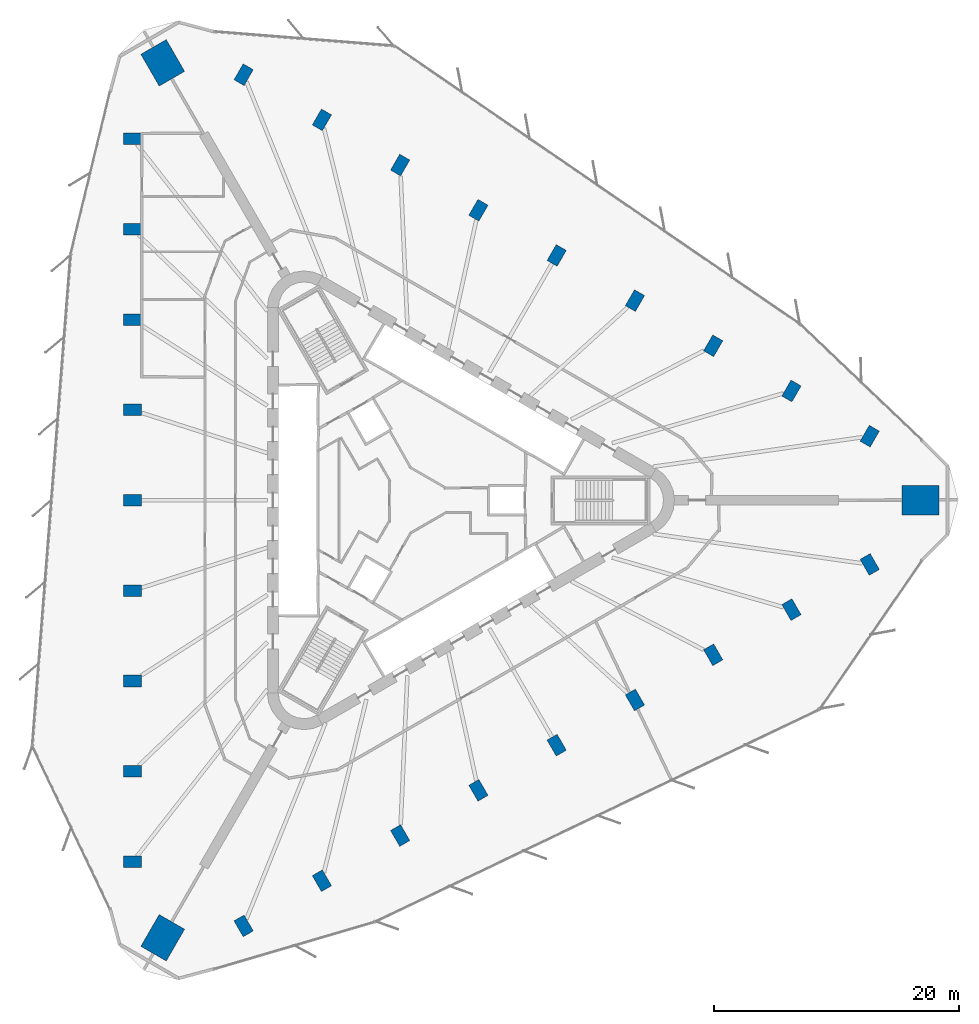
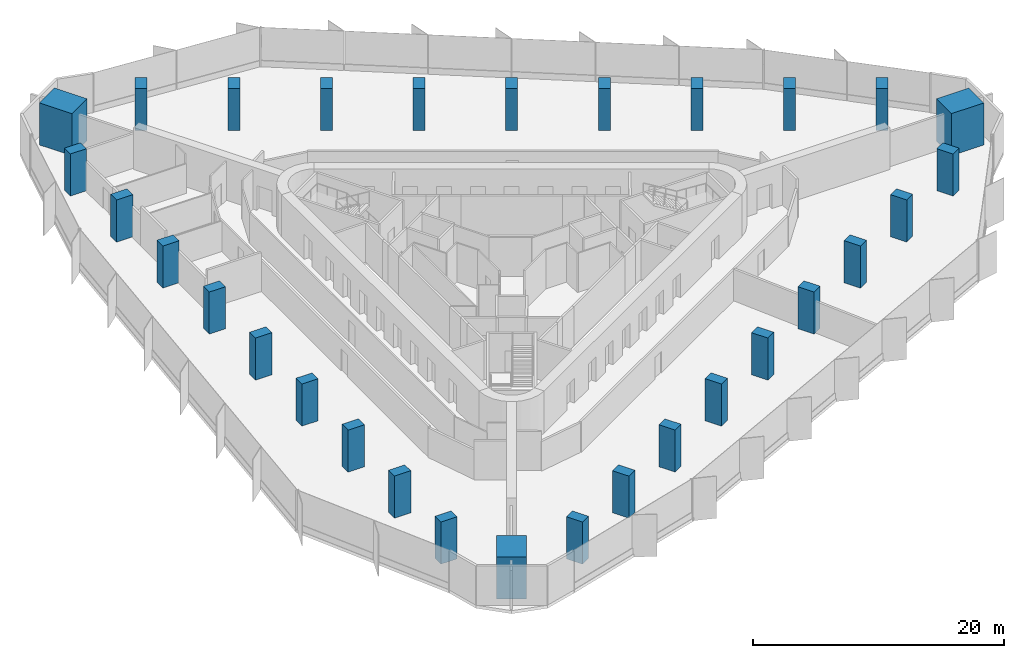
# One storey, part 1 of 14: 30 columns.
"""IFC4 building model written with IfcOpenShell, lengths in metres."""

from ifc_helpers import new_model, si_unit, direction, frame, origin, origin_2d, place, context, subcontext, project, spatial, rectangle, extrude, material, material_profile, profile_set, type_object, element, save


model = new_model("IFC4")

# Units and contexts
model_context = context("Model", 3, precision=1e-05, world=origin(), true_north=direction((0.0, 1.0)))
body_context = subcontext(model_context, "Body", "Model", "MODEL_VIEW")
ifc_project = project(units=[si_unit("LENGTHUNIT", "METRE"), si_unit("AREAUNIT", "SQUARE_METRE"), si_unit("VOLUMEUNIT", "CUBIC_METRE"), si_unit("PLANEANGLEUNIT", "RADIAN"), si_unit("MASSUNIT", "GRAM", prefix="KILO")], contexts=[model_context])

# Site, building, storey
site_placement = place(None, origin())
site = spatial("IfcSite", under=ifc_project, at=site_placement, CompositionType="ELEMENT")
building_placement = place(site_placement, origin())
building = spatial("IfcBuilding", under=site, at=building_placement, Name="Tanit Gate Tower", CompositionType="ELEMENT")
storey_placement = place(building_placement, frame((0.0, 0.0, 86.5)))
storey = spatial("IfcBuildingStorey", under=building, at=storey_placement, Name="L17", CompositionType="ELEMENT", Elevation=86.5)

# Columns
ifc_material_1 = material(Name="Concrete C70/85", Category="concrete")
ifc_material_profile_1 = material_profile(ifc_material_1, rectangle(XDim=3.0, YDim=2.39990234375, at=origin_2d()), Name="RC 3000x2400")
ifc_profile_set_1 = profile_set([ifc_material_profile_1], Name="Concrete C70/85")
column_type_1 = type_object("IfcColumnType", Name="MEGA COLUMN 3000x2400 C70/85", PredefinedType="COLUMN", material=ifc_profile_set_1)
for number, where, z_axis, x_axis, name in (
    (1, (41.318359375, 0.0, 0.0), (0.0, 0.0, 1.0), (1.0, 0.0, 0.0), "MEGA COLUMN"),
    (2, (-20.6591796875, 35.78271484375, 0.0), (0.0, 0.0, 1.0), (-0.5, 0.866025403784, 0.0), "MEGA COLUMN"),
    (3, (-20.6591796875, -35.78271484375, 0.0), (0.0, 0.0, 1.0), (-0.5, -0.866025403784, 0.0), "MEGA COLUMN"),
):
    element("IfcColumn", number, at=place(storey_placement, frame(where, z_axis=z_axis, x_axis=x_axis)), inside=storey, type_object=column_type_1, Name=name, PredefinedType="COLUMN", context=body_context, shape_type="SweptSolid", body=[
        extrude(rectangle(XDim=3.0, YDim=2.39990234375, at=origin_2d()), origin(), (0.0, 0.0, 1.0), 4.10009765625),
    ])
ifc_material_2 = material(Name="Concrete C60/75", Category="concrete")
ifc_material_profile_2 = material_profile(ifc_material_2, rectangle(XDim=1.5, YDim=0.949951171875, at=origin_2d()), Name="RC 1500x950")
ifc_profile_set_2 = profile_set([ifc_material_profile_2], Name="Concrete C60/75")
column_type_2 = type_object("IfcColumnType", Name="PERIMETER COLUMN 1500x950 C60/75", PredefinedType="COLUMN", material=ifc_profile_set_2)
for number, where, z_axis, x_axis, name in (
    (4, (-23.126708984375, 29.56591796875, 0.0), (0.0, 0.0, 1.0), (-1.0, 0.0, 0.0), "PERIMETER COLUMN"),
    (5, (-23.126708984375, 22.17431640625, 0.0), (0.0, 0.0, 1.0), (-1.0, 0.0, 0.0), "PERIMETER COLUMN"),
    (6, (-23.126708984375, 14.782958984375, 0.0), (0.0, 0.0, 1.0), (-1.0, 0.0, 0.0), "PERIMETER COLUMN"),
    (7, (-23.126708984375, 7.391357421875, 0.0), (0.0, 0.0, 1.0), (-1.0, 0.0, 0.0), "PERIMETER COLUMN"),
    (8, (-23.126708984375, 0.0, 0.0), (0.0, 0.0, 1.0), (-1.0, 0.0, 0.0), "PERIMETER COLUMN"),
    (9, (-23.126708984375, -7.391357421875, 0.0), (0.0, 0.0, 1.0), (-1.0, 0.0, 0.0), "PERIMETER COLUMN"),
    (10, (-23.126708984375, -14.782958984375, 0.0), (0.0, 0.0, 1.0), (-1.0, 0.0, 0.0), "PERIMETER COLUMN"),
    (11, (-23.126708984375, -22.17431640625, 0.0), (0.0, 0.0, 1.0), (-1.0, 0.0, 0.0), "PERIMETER COLUMN"),
    (12, (-23.126708984375, -29.56591796875, 0.0), (0.0, 0.0, 1.0), (-1.0, 0.0, 0.0), "PERIMETER COLUMN"),
    (13, (37.168212890625, 5.24560546875, 0.0), (0.0, 0.0, 1.0), (0.5, 0.866025403784, 0.0), "PERIMETER COLUMN"),
    (14, (30.766845703125, 8.941162109375, 0.0), (0.0, 0.0, 1.0), (0.5, 0.866025403784, 0.0), "PERIMETER COLUMN"),
    (15, (24.36572265625, 12.636962890625, 0.0), (0.0, 0.0, 1.0), (0.5, 0.866025403784, 0.0), "PERIMETER COLUMN"),
    (16, (17.964599609375, 16.332763671875, 0.0), (0.0, 0.0, 1.0), (0.5, 0.866025403784, 0.0), "PERIMETER COLUMN"),
    (17, (11.5634765625, 20.0283203125, 0.0), (0.0, 0.0, 1.0), (0.5, 0.866025403784, 0.0), "PERIMETER COLUMN"),
    (18, (5.162109375, 23.72412109375, 0.0), (0.0, 0.0, 1.0), (0.5, 0.866025403784, 0.0), "PERIMETER COLUMN"),
    (19, (-1.239013671875, 27.419921875, 0.0), (0.0, 0.0, 1.0), (0.5, 0.866025403784, 0.0), "PERIMETER COLUMN"),
    (20, (-7.64013671875, 31.115478515625, 0.0), (0.0, 0.0, 1.0), (0.5, 0.866025403784, 0.0), "PERIMETER COLUMN"),
    (21, (-14.041259765625, 34.811279296875, 0.0), (0.0, 0.0, 1.0), (0.5, 0.866025403784, 0.0), "PERIMETER COLUMN"),
    (22, (-14.041259765625, -34.811279296875, 0.0), (0.0, 0.0, 1.0), (0.5, -0.866025403784, 0.0), "PERIMETER COLUMN"),
    (23, (-7.64013671875, -31.115478515625, 0.0), (0.0, 0.0, 1.0), (0.5, -0.866025403784, 0.0), "PERIMETER COLUMN"),
    (24, (-1.239013671875, -27.419921875, 0.0), (0.0, 0.0, 1.0), (0.5, -0.866025403784, 0.0), "PERIMETER COLUMN"),
    (25, (5.162109375, -23.72412109375, 0.0), (0.0, 0.0, 1.0), (0.5, -0.866025403784, 0.0), "PERIMETER COLUMN"),
    (26, (11.5634765625, -20.0283203125, 0.0), (0.0, 0.0, 1.0), (0.5, -0.866025403784, 0.0), "PERIMETER COLUMN"),
    (27, (17.964599609375, -16.332763671875, 0.0), (0.0, 0.0, 1.0), (0.5, -0.866025403784, 0.0), "PERIMETER COLUMN"),
    (28, (24.36572265625, -12.636962890625, 0.0), (0.0, 0.0, 1.0), (0.5, -0.866025403784, 0.0), "PERIMETER COLUMN"),
    (29, (30.766845703125, -8.941162109375, 0.0), (0.0, 0.0, 1.0), (0.5, -0.866025403784, 0.0), "PERIMETER COLUMN"),
    (30, (37.168212890625, -5.24560546875, 0.0), (0.0, 0.0, 1.0), (0.5, -0.866025403784, 0.0), "PERIMETER COLUMN"),
):
    element("IfcColumn", number, at=place(storey_placement, frame(where, z_axis=z_axis, x_axis=x_axis)), inside=storey, type_object=column_type_2, Name=name, PredefinedType="COLUMN", context=body_context, shape_type="SweptSolid", body=[
        extrude(rectangle(XDim=1.5, YDim=0.949951171875, at=origin_2d()), origin(), (0.0, 0.0, 1.0), 4.10009765625),
    ])

save(model, "model.ifc")
